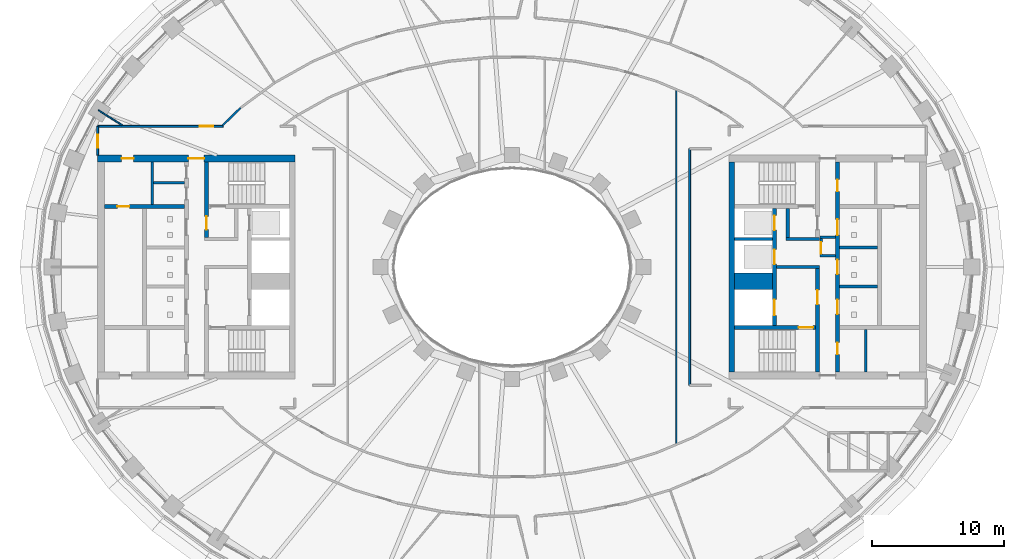
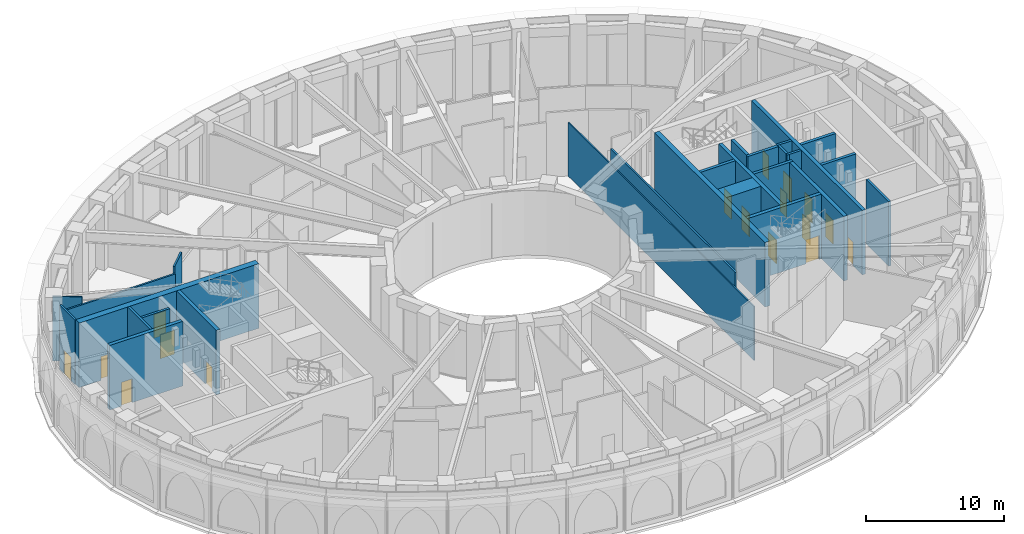
# One storey, part 5 of 23: 27 walls, 17 doors, 17 openings.
"""IFC4 building model written with IfcOpenShell, lengths in metres."""

from ifc_helpers import new_model, si_unit, direction, frame, frame_2d, origin, place, context, subcontext, project, spatial, rectangle, extrude, material, layer, layer_set, type_object, element, fill, save


model = new_model("IFC4")

# Units and contexts
model_context = context("Model", 3, precision=1e-05, world=origin(), true_north=direction((0.0, 1.0)))
body_context = subcontext(model_context, "Body", "Model", "MODEL_VIEW")
ifc_project = project(units=[si_unit("LENGTHUNIT", "METRE"), si_unit("AREAUNIT", "SQUARE_METRE"), si_unit("VOLUMEUNIT", "CUBIC_METRE"), si_unit("PLANEANGLEUNIT", "RADIAN"), si_unit("MASSUNIT", "GRAM", prefix="KILO")], contexts=[model_context])

# Site, building, storey
site_placement = place(None, origin())
site = spatial("IfcSite", under=ifc_project, at=site_placement, CompositionType="ELEMENT")
building_placement = place(site_placement, origin())
building = spatial("IfcBuilding", under=site, at=building_placement, Name="Noorbagh Ring Tower", CompositionType="ELEMENT")
storey_placement = place(building_placement, frame((0.0, 0.0, 140.0)))
storey = spatial("IfcBuildingStorey", under=building, at=storey_placement, Name="L32", CompositionType="ELEMENT", Elevation=140.0)

# Walls
ifc_material_1 = material(Name="Gypsum board on steel studs", Category="steel")
ifc_layer_1 = layer(ifc_material_1, 0.199951171875)
ifc_layer_set_1 = layer_set([ifc_layer_1], Name="Gypsum board on steel studs")
wall_type_1 = type_object("IfcWallType", Name="CORE-PARTITION-200", PredefinedType="PARTITIONING", material=ifc_layer_set_1)
wall_1_placement = place(storey_placement, frame((-27.35009765625, 4.75, 0.0), z_axis=(0.0, 0.0, 1.0), x_axis=(0.0, 1.0, 0.0)))
element("IfcWall", 1, at=wall_1_placement, inside=storey, type_object=wall_type_1, Name="Core partition W", PredefinedType="PARTITIONING", context=body_context, shape_type="SweptSolid", body=[
    extrude(rectangle(XDim=3.25, YDim=0.199951171875, at=frame_2d((1.625, 0.0))), origin(), (0.0, 0.0, 1.0), 5.699951171875),
])
wall_2_placement = place(storey_placement, frame((-24.89990234375, 6.39990234375, 0.0), z_axis=(0.0, 0.0, 1.0), x_axis=(-1.0, 0.0, 0.0)))
element("IfcWall", 2, at=wall_2_placement, inside=storey, type_object=wall_type_1, Name="Core partition W", PredefinedType="PARTITIONING", context=body_context, shape_type="SweptSolid", body=[
    extrude(rectangle(XDim=2.35009765625, YDim=0.199951171875, at=frame_2d((1.175048828125, 0.0))), origin(), (0.0, 0.0, 1.0), 5.699951171875),
])
for number, where, z_axis, x_axis, name in (
    (3, (23.39990234375, 0.85009765625, 0.0), (0.0, 0.0, 1.0), (1.0, 0.0, 0.0), "Core partition E"),
    (4, (23.39990234375, 2.25, 0.0), (0.0, 0.0, 1.0), (1.0, 0.0, 0.0), "Core partition E"),
):
    element("IfcWall", number, at=place(storey_placement, frame(where, z_axis=z_axis, x_axis=x_axis)), inside=storey, type_object=wall_type_1, Name=name, PredefinedType="PARTITIONING", context=body_context, shape_type="SweptSolid", body=[
        extrude(rectangle(XDim=1.2001953125, YDim=0.199951171875, at=frame_2d((0.60009765625, 0.0))), origin(), (0.0, 0.0, 1.0), 5.699951171875),
    ])

# Wall, opening, door
wall_3_placement = place(storey_placement, frame((23.5, 0.75, 0.0), z_axis=(0.0, 0.0, 1.0), x_axis=(0.0, 1.0, 0.0)))
wall_3 = element("IfcWall", 5, at=wall_3_placement, inside=storey, type_object=wall_type_1, Name="Core partition E", PredefinedType="PARTITIONING", context=body_context, shape_type="SweptSolid", body=[
    extrude(rectangle(XDim=1.60009765625, YDim=0.199951171875, at=frame_2d((0.800048828125, 0.0))), origin(), (0.0, 0.0, 1.0), 5.699951171875),
])
opening_1_placement = place(wall_3_placement, frame((0.25, 0.0, 0.0)))
opening_1 = element("IfcOpeningElement", 6, at=opening_1_placement, cuts=wall_3, Name="Opening L32-CE17", PredefinedType="OPENING", context=body_context, shape_type="SweptSolid", body=[
    extrude(rectangle(XDim=0.89990234375, YDim=2.10009765625, at=frame_2d((0.449951171875, 1.050048828125))), frame((0.0, 0.10986328125, 0.0), z_axis=(0.0, -1.0, 0.0), x_axis=(1.0, 0.0, 0.0)), (0.0, 0.0, 1.0), 0.219970703125),
])
ifc_material_2 = material(Name="Steel door leaf", Category="steel")
door_type_1 = type_object("IfcDoorType", Name="CORE-DOOR-DROOM", OperationType="SINGLE_SWING_LEFT", PredefinedType="DOOR", material=ifc_material_2)
door_1_placement = place(opening_1_placement, origin())
door_1 = element("IfcDoor", 7, at=door_1_placement, inside=storey, type_object=door_type_1, Name="Core room door L32-CE17", OperationType="SINGLE_SWING_LEFT", OverallHeight=2.10009765625, OverallWidth=0.89990234375, PredefinedType="DOOR", context=body_context, shape_type="SweptSolid", body=[
    extrude(rectangle(XDim=0.89990234375, YDim=2.10009765625, at=frame_2d((0.449951171875, 1.050048828125))), frame((0.0, 0.02490234375, 0.0), z_axis=(0.0, -1.0, 0.0), x_axis=(1.0, 0.0, 0.0)), (0.0, 0.0, 1.0), 0.050048828125),
])
fill(opening_1, door_1)

# Walls
wall_4_placement = place(storey_placement, frame((26.89990234375, -8.0, 0.0), z_axis=(0.0, 0.0, 1.0), x_axis=(0.0, 1.0, 0.0)))
element("IfcWall", 8, at=wall_4_placement, inside=storey, type_object=wall_type_1, Name="Core partition E", PredefinedType="PARTITIONING", context=body_context, shape_type="SweptSolid", body=[
    extrude(rectangle(XDim=3.25, YDim=0.199951171875, at=frame_2d((1.625, 0.0))), origin(), (0.0, 0.0, 1.0), 5.699951171875),
])
ifc_material_3 = material(Name="Concrete C70/85", Category="concrete")
ifc_layer_2 = layer(ifc_material_3, 1.25)
ifc_layer_set_2 = layer_set([ifc_layer_2], Name="Concrete C70/85")
wall_type_2 = type_object("IfcWallType", Name="CORE-WALL-1250-C70-85-EI120", PredefinedType="SHEAR", material=ifc_layer_set_2)
wall_5_placement = place(storey_placement, frame((16.89990234375, -1.074951171875, 0.0), z_axis=(0.0, 0.0, 1.0), x_axis=(1.0, 0.0, 0.0)))
element("IfcWall", 9, at=wall_5_placement, inside=storey, type_object=wall_type_2, Name="Core wall E", PredefinedType="SHEAR", context=body_context, shape_type="SweptSolid", body=[
    extrude(rectangle(XDim=2.900146484375, YDim=1.25, at=frame_2d((1.4501953125, 0.0))), origin(), (0.0, 0.0, 1.0), 5.699951171875),
])
ifc_material_4 = material(Name="Concrete C70/85", Category="concrete")
ifc_layer_3 = layer(ifc_material_4, 0.25)
ifc_layer_set_3 = layer_set([ifc_layer_3], Name="Concrete C70/85")
wall_type_3 = type_object("IfcWallType", Name="CORE-WALL-250-C70-85-EI120", PredefinedType="SHEAR", material=ifc_layer_set_3)
for number, where, z_axis, x_axis, name in (
    (10, (16.89990234375, 2.125, 0.0), (0.0, 0.0, 1.0), (1.0, 0.0, 0.0), "Core wall E"),
    (11, (24.89990234375, -1.47509765625, 0.0), (0.0, 0.0, 1.0), (1.0, 0.0, 0.0), "Core wall E"),
    (12, (24.89990234375, 1.47509765625, 0.0), (0.0, 0.0, 1.0), (1.0, 0.0, 0.0), "Core wall E"),
):
    element("IfcWall", number, at=place(storey_placement, frame(where, z_axis=z_axis, x_axis=x_axis)), inside=storey, type_object=wall_type_3, Name=name, PredefinedType="SHEAR", context=body_context, shape_type="SweptSolid", body=[
        extrude(rectangle(XDim=2.900146484375, YDim=0.25, at=frame_2d((1.4501953125, 0.0))), origin(), (0.0, 0.0, 1.0), 5.699951171875),
    ])
ifc_material_5 = material(Name="Concrete C70/85", Category="concrete")
ifc_layer_4 = layer(ifc_material_5, 0.25)
ifc_layer_set_4 = layer_set([ifc_layer_4], Name="Concrete C70/85")
wall_type_4 = type_object("IfcWallType", Name="CORE-WALL-250-C70-85-EI240", PredefinedType="SHEAR", material=ifc_layer_set_4)
wall_6_placement = place(storey_placement, frame((20.10009765625, 0.0, 0.0), z_axis=(0.0, 0.0, 1.0), x_axis=(1.0, 0.0, 0.0)))
element("IfcWall", 13, at=wall_6_placement, inside=storey, type_object=wall_type_4, Name="Core wall E", PredefinedType="SHEAR", context=body_context, shape_type="SweptSolid", body=[
    extrude(rectangle(XDim=3.27978515625, YDim=0.25, at=frame_2d((1.639892578125, 0.0))), origin(), (0.0, 0.0, 1.0), 5.699951171875),
])
wall_7_placement = place(storey_placement, frame((20.85009765625, 2.125, 0.0), z_axis=(0.0, 0.0, 1.0), x_axis=(1.0, 0.0, 0.0)))
element("IfcWall", 14, at=wall_7_placement, inside=storey, type_object=wall_type_4, Name="Core wall E", PredefinedType="SHEAR", context=body_context, shape_type="SweptSolid", body=[
    extrude(rectangle(XDim=2.52978515625, YDim=0.25, at=frame_2d((1.264892578125, 0.0))), origin(), (0.0, 0.0, 1.0), 5.699951171875),
])
wall_8_placement = place(storey_placement, frame((20.97509765625, 2.25, 0.0), z_axis=(0.0, 0.0, 1.0), x_axis=(0.0, 1.0, 0.0)))
element("IfcWall", 15, at=wall_8_placement, inside=storey, type_object=wall_type_4, Name="Core wall E", PredefinedType="SHEAR", context=body_context, shape_type="SweptSolid", body=[
    extrude(rectangle(XDim=2.199951171875, YDim=0.25, at=frame_2d((1.10009765625, 0.0))), origin(), (0.0, 0.0, 1.0), 5.699951171875),
])

# Wall, openings, doors
ifc_material_6 = material(Name="Concrete C70/85", Category="concrete")
ifc_layer_5 = layer(ifc_material_6, 0.300048828125)
ifc_layer_set_5 = layer_set([ifc_layer_5], Name="Concrete C70/85")
wall_type_5 = type_object("IfcWallType", Name="CORE-WALL-300-C70-85-EI120", PredefinedType="SHEAR", material=ifc_layer_set_5)
wall_9_placement = place(storey_placement, frame((19.949951171875, -4.449951171875, 0.0), z_axis=(0.0, 0.0, 1.0), x_axis=(0.0, 1.0, 0.0)))
wall_9 = element("IfcWall", 16, at=wall_9_placement, inside=storey, type_object=wall_type_5, Name="Core wall E", PredefinedType="SHEAR", context=body_context, shape_type="SweptSolid", body=[
    extrude(rectangle(XDim=8.89990234375, YDim=0.300048828125, at=frame_2d((4.449951171875, 0.0))), origin(), (0.0, 0.0, 1.0), 5.699951171875),
])
opening_2_placement = place(wall_9_placement, frame((0.77490234375, 0.0, 0.0)))
opening_2 = element("IfcOpeningElement", 17, at=opening_2_placement, cuts=wall_9, Name="Opening L32-CE01", PredefinedType="OPENING", context=body_context, shape_type="SweptSolid", body=[
    extrude(rectangle(XDim=1.199951171875, YDim=2.10009765625, at=frame_2d((0.60009765625, 1.050048828125))), frame((0.0, 0.16015625, 0.0), z_axis=(0.0, -1.0, 0.0), x_axis=(1.0, 0.0, 0.0)), (0.0, 0.0, 1.0), 0.320068359375),
])
opening_3_placement = place(wall_9_placement, frame((4.675048828125, 0.0, 0.0)))
opening_3 = element("IfcOpeningElement", 18, at=opening_3_placement, cuts=wall_9, Name="Opening L32-CE02", PredefinedType="OPENING", context=body_context, shape_type="SweptSolid", body=[
    extrude(rectangle(XDim=1.10009765625, YDim=2.10009765625, at=frame_2d((0.550048828125, 1.050048828125))), frame((0.0, 0.16015625, 0.0), z_axis=(0.0, -1.0, 0.0), x_axis=(1.0, 0.0, 0.0)), (0.0, 0.0, 1.0), 0.320068359375),
])
opening_4_placement = place(wall_9_placement, frame((7.25, 0.0, 0.0)))
opening_4 = element("IfcOpeningElement", 19, at=opening_4_placement, cuts=wall_9, Name="Opening L32-CE03", PredefinedType="OPENING", context=body_context, shape_type="SweptSolid", body=[
    extrude(rectangle(XDim=1.10009765625, YDim=2.10009765625, at=frame_2d((0.550048828125, 1.050048828125))), frame((0.0, 0.16015625, 0.0), z_axis=(0.0, -1.0, 0.0), x_axis=(1.0, 0.0, 0.0)), (0.0, 0.0, 1.0), 0.320068359375),
])
ifc_material_7 = material(Name="Steel door leaf", Category="steel")
door_type_2 = type_object("IfcDoorType", Name="CORE-DOOR-LD", OperationType="DOUBLE_DOOR_SLIDING", PredefinedType="DOOR", material=ifc_material_7)
door_2_placement = place(opening_3_placement, origin())
door_2 = element("IfcDoor", 20, at=door_2_placement, inside=storey, type_object=door_type_2, Name="Landing door HR7 L32-CE02", OperationType="DOUBLE_DOOR_SLIDING", OverallHeight=2.10009765625, OverallWidth=1.10009765625, PredefinedType="DOOR", context=body_context, shape_type="SweptSolid", body=[
    extrude(rectangle(XDim=1.10009765625, YDim=2.10009765625, at=frame_2d((0.550048828125, 1.050048828125))), frame((0.0, 0.02490234375, 0.0), z_axis=(0.0, -1.0, 0.0), x_axis=(1.0, 0.0, 0.0)), (0.0, 0.0, 1.0), 0.050048828125),
])
fill(opening_3, door_2)
door_3_placement = place(opening_4_placement, origin())
door_3 = element("IfcDoor", 21, at=door_3_placement, inside=storey, type_object=door_type_2, Name="Landing door HR8 L32-CE03", OperationType="DOUBLE_DOOR_SLIDING", OverallHeight=2.10009765625, OverallWidth=1.10009765625, PredefinedType="DOOR", context=body_context, shape_type="SweptSolid", body=[
    extrude(rectangle(XDim=1.10009765625, YDim=2.10009765625, at=frame_2d((0.550048828125, 1.050048828125))), frame((0.0, 0.02490234375, 0.0), z_axis=(0.0, -1.0, 0.0), x_axis=(1.0, 0.0, 0.0)), (0.0, 0.0, 1.0), 0.050048828125),
])
fill(opening_4, door_3)
ifc_material_8 = material(Name="Steel door leaf", Category="steel")
door_type_3 = type_object("IfcDoorType", Name="CORE-DOOR-LDW", OperationType="DOUBLE_DOOR_SLIDING", PredefinedType="DOOR", material=ifc_material_8)
door_4_placement = place(opening_2_placement, origin())
door_4 = element("IfcDoor", 22, at=door_4_placement, inside=storey, type_object=door_type_3, Name="Landing door FF2 L32-CE01", OperationType="DOUBLE_DOOR_SLIDING", OverallHeight=2.10009765625, OverallWidth=1.199951171875, PredefinedType="DOOR", context=body_context, shape_type="SweptSolid", body=[
    extrude(rectangle(XDim=1.199951171875, YDim=2.10009765625, at=frame_2d((0.60009765625, 1.050048828125))), frame((0.0, 0.02490234375, 0.0), z_axis=(0.0, -1.0, 0.0), x_axis=(1.0, 0.0, 0.0)), (0.0, 0.0, 1.0), 0.050048828125),
])
fill(opening_2, door_4)

wall_10_placement = place(storey_placement, frame((24.75, -8.0, 0.0), z_axis=(0.0, 0.0, 1.0), x_axis=(0.0, 1.0, 0.0)))
wall_10 = element("IfcWall", 23, at=wall_10_placement, inside=storey, type_object=wall_type_5, Name="Core wall E", PredefinedType="SHEAR", context=body_context, shape_type="SweptSolid", body=[
    extrude(rectangle(XDim=16.0, YDim=0.300048828125, at=frame_2d((8.0, 0.0))), origin(), (0.0, 0.0, 1.0), 5.699951171875),
])
opening_5_placement = place(wall_10_placement, frame((4.425048828125, 0.0, 0.0)))
opening_5 = element("IfcOpeningElement", 24, at=opening_5_placement, cuts=wall_10, Name="Opening L32-CE04", PredefinedType="OPENING", context=body_context, shape_type="SweptSolid", body=[
    extrude(rectangle(XDim=1.10009765625, YDim=2.10009765625, at=frame_2d((0.550048828125, 1.050048828125))), frame((0.0, 0.16015625, 0.0), z_axis=(0.0, -1.0, 0.0), x_axis=(1.0, 0.0, 0.0)), (0.0, 0.0, 1.0), 0.320068359375),
])
opening_6_placement = place(wall_10_placement, frame((7.449951171875, 0.0, 0.0)))
opening_6 = element("IfcOpeningElement", 25, at=opening_6_placement, cuts=wall_10, Name="Opening L32-CE05", PredefinedType="OPENING", context=body_context, shape_type="SweptSolid", body=[
    extrude(rectangle(XDim=1.10009765625, YDim=2.10009765625, at=frame_2d((0.550048828125, 1.050048828125))), frame((0.0, 0.16015625, 0.0), z_axis=(0.0, -1.0, 0.0), x_axis=(1.0, 0.0, 0.0)), (0.0, 0.0, 1.0), 0.320068359375),
])
opening_7_placement = place(wall_10_placement, frame((10.425048828125, 0.0, 0.0)))
opening_7 = element("IfcOpeningElement", 26, at=opening_7_placement, cuts=wall_10, Name="Opening L32-CE06", PredefinedType="OPENING", context=body_context, shape_type="SweptSolid", body=[
    extrude(rectangle(XDim=1.199951171875, YDim=2.10009765625, at=frame_2d((0.60009765625, 1.050048828125))), frame((0.0, 0.16015625, 0.0), z_axis=(0.0, -1.0, 0.0), x_axis=(1.0, 0.0, 0.0)), (0.0, 0.0, 1.0), 0.320068359375),
])
opening_8_placement = place(wall_10_placement, frame((13.75, 0.0, 0.0)))
opening_8 = element("IfcOpeningElement", 27, at=opening_8_placement, cuts=wall_10, Name="Opening L32-CE13", PredefinedType="OPENING", context=body_context, shape_type="SweptSolid", body=[
    extrude(rectangle(XDim=0.89990234375, YDim=2.10009765625, at=frame_2d((0.449951171875, 1.050048828125))), frame((0.0, 0.16015625, 0.0), z_axis=(0.0, -1.0, 0.0), x_axis=(1.0, 0.0, 0.0)), (0.0, 0.0, 1.0), 0.320068359375),
])
opening_9_placement = place(wall_10_placement, frame((1.35009765625, 0.0, 0.0)))
opening_9 = element("IfcOpeningElement", 28, at=opening_9_placement, cuts=wall_10, Name="Opening L32-CE15", PredefinedType="OPENING", context=body_context, shape_type="SweptSolid", body=[
    extrude(rectangle(XDim=0.89990234375, YDim=2.10009765625, at=frame_2d((0.449951171875, 1.050048828125))), frame((0.0, 0.16015625, 0.0), z_axis=(0.0, -1.0, 0.0), x_axis=(1.0, 0.0, 0.0)), (0.0, 0.0, 1.0), 0.320068359375),
])
door_5_placement = place(opening_8_placement, origin())
door_5 = element("IfcDoor", 29, at=door_5_placement, inside=storey, type_object=door_type_1, Name="Core room door L32-CE13", OperationType="SINGLE_SWING_LEFT", OverallHeight=2.10009765625, OverallWidth=0.89990234375, PredefinedType="DOOR", context=body_context, shape_type="SweptSolid", body=[
    extrude(rectangle(XDim=0.89990234375, YDim=2.10009765625, at=frame_2d((0.449951171875, 1.050048828125))), frame((0.0, 0.02490234375, 0.0), z_axis=(0.0, -1.0, 0.0), x_axis=(1.0, 0.0, 0.0)), (0.0, 0.0, 1.0), 0.050048828125),
])
fill(opening_8, door_5)
door_6_placement = place(opening_9_placement, origin())
door_6 = element("IfcDoor", 30, at=door_6_placement, inside=storey, type_object=door_type_1, Name="Core room door L32-CE15", OperationType="SINGLE_SWING_RIGHT", OverallHeight=2.10009765625, OverallWidth=0.89990234375, PredefinedType="DOOR", context=body_context, shape_type="SweptSolid", body=[
    extrude(rectangle(XDim=0.89990234375, YDim=2.10009765625, at=frame_2d((0.449951171875, 1.050048828125))), frame((0.0, 0.02490234375, 0.0), z_axis=(0.0, -1.0, 0.0), x_axis=(1.0, 0.0, 0.0)), (0.0, 0.0, 1.0), 0.050048828125),
])
fill(opening_9, door_6)
door_7_placement = place(opening_5_placement, origin())
door_7 = element("IfcDoor", 31, at=door_7_placement, inside=storey, type_object=door_type_2, Name="Landing door LR3 L32-CE04", OperationType="DOUBLE_DOOR_SLIDING", OverallHeight=2.10009765625, OverallWidth=1.10009765625, PredefinedType="DOOR", context=body_context, shape_type="SweptSolid", body=[
    extrude(rectangle(XDim=1.10009765625, YDim=2.10009765625, at=frame_2d((0.550048828125, 1.050048828125))), frame((0.0, 0.02490234375, 0.0), z_axis=(0.0, -1.0, 0.0), x_axis=(1.0, 0.0, 0.0)), (0.0, 0.0, 1.0), 0.050048828125),
])
fill(opening_5, door_7)
door_8_placement = place(opening_6_placement, origin())
door_8 = element("IfcDoor", 32, at=door_8_placement, inside=storey, type_object=door_type_2, Name="Landing door LR4 L32-CE05", OperationType="DOUBLE_DOOR_SLIDING", OverallHeight=2.10009765625, OverallWidth=1.10009765625, PredefinedType="DOOR", context=body_context, shape_type="SweptSolid", body=[
    extrude(rectangle(XDim=1.10009765625, YDim=2.10009765625, at=frame_2d((0.550048828125, 1.050048828125))), frame((0.0, 0.02490234375, 0.0), z_axis=(0.0, -1.0, 0.0), x_axis=(1.0, 0.0, 0.0)), (0.0, 0.0, 1.0), 0.050048828125),
])
fill(opening_6, door_8)
door_9_placement = place(opening_7_placement, origin())
door_9 = element("IfcDoor", 33, at=door_9_placement, inside=storey, type_object=door_type_3, Name="Landing door SV2 L32-CE06", OperationType="DOUBLE_DOOR_SLIDING", OverallHeight=2.10009765625, OverallWidth=1.199951171875, PredefinedType="DOOR", context=body_context, shape_type="SweptSolid", body=[
    extrude(rectangle(XDim=1.199951171875, YDim=2.10009765625, at=frame_2d((0.60009765625, 1.050048828125))), frame((0.0, 0.02490234375, 0.0), z_axis=(0.0, -1.0, 0.0), x_axis=(1.0, 0.0, 0.0)), (0.0, 0.0, 1.0), 0.050048828125),
])
fill(opening_7, door_9)

# Wall, opening, door
ifc_material_9 = material(Name="Concrete C70/85", Category="concrete")
ifc_layer_6 = layer(ifc_material_9, 0.300048828125)
ifc_layer_set_6 = layer_set([ifc_layer_6], Name="Concrete C70/85")
wall_type_6 = type_object("IfcWallType", Name="CORE-WALL-300-C70-85-EI240", PredefinedType="SHEAR", material=ifc_layer_set_6)
wall_11_placement = place(storey_placement, frame((-24.89990234375, 4.60009765625, 0.0), z_axis=(0.0, 0.0, 1.0), x_axis=(-1.0, 0.0, 0.0)))
wall_11 = element("IfcWall", 34, at=wall_11_placement, inside=storey, type_object=wall_type_6, Name="Core wall W", PredefinedType="SHEAR", context=body_context, shape_type="SweptSolid", body=[
    extrude(rectangle(XDim=6.10009765625, YDim=0.300048828125, at=frame_2d((3.050048828125, 0.0))), origin(), (0.0, 0.0, 1.0), 5.699951171875),
])
opening_10_placement = place(wall_11_placement, frame((4.199951171875, 0.0, 0.0)))
opening_10 = element("IfcOpeningElement", 35, at=opening_10_placement, cuts=wall_11, Name="Opening L32-CW17", PredefinedType="OPENING", context=body_context, shape_type="SweptSolid", body=[
    extrude(rectangle(XDim=0.89990234375, YDim=2.10009765625, at=frame_2d((0.449951171875, 1.050048828125))), frame((0.0, 0.16015625, 0.0), z_axis=(0.0, -1.0, 0.0), x_axis=(1.0, 0.0, 0.0)), (0.0, 0.0, 1.0), 0.320068359375),
])
door_10_placement = place(opening_10_placement, origin())
door_10 = element("IfcDoor", 36, at=door_10_placement, inside=storey, type_object=door_type_1, Name="Core room door L32-CW17", OperationType="SINGLE_SWING_LEFT", OverallHeight=2.10009765625, OverallWidth=0.89990234375, PredefinedType="DOOR", context=body_context, shape_type="SweptSolid", body=[
    extrude(rectangle(XDim=0.89990234375, YDim=2.10009765625, at=frame_2d((0.449951171875, 1.050048828125))), frame((0.0, 0.02490234375, 0.0), z_axis=(0.0, -1.0, 0.0), x_axis=(1.0, 0.0, 0.0)), (0.0, 0.0, 1.0), 0.050048828125),
])
fill(opening_10, door_10)

wall_12_placement = place(storey_placement, frame((-23.22998046875, 2.25, 0.0), z_axis=(0.0, 0.0, 1.0), x_axis=(0.0, 1.0, 0.0)))
wall_12 = element("IfcWall", 37, at=wall_12_placement, inside=storey, type_object=wall_type_6, Name="Core wall W", PredefinedType="SHEAR", context=body_context, shape_type="SweptSolid", body=[
    extrude(rectangle(XDim=5.75, YDim=0.300048828125, at=frame_2d((2.875, 0.0))), origin(), (0.0, 0.0, 1.0), 5.699951171875),
])
opening_11_placement = place(wall_12_placement, frame((0.60009765625, 0.0, 0.0)))
opening_11 = element("IfcOpeningElement", 38, at=opening_11_placement, cuts=wall_12, Name="Opening L32-CW09", PredefinedType="OPENING", context=body_context, shape_type="SweptSolid", body=[
    extrude(rectangle(XDim=1.0, YDim=2.10009765625, at=frame_2d((0.5, 1.050048828125))), frame((0.0, 0.16015625, 0.0), z_axis=(0.0, -1.0, 0.0), x_axis=(1.0, 0.0, 0.0)), (0.0, 0.0, 1.0), 0.320068359375),
])
ifc_material_10 = material(Name="Steel door leaf", Category="steel")
door_type_4 = type_object("IfcDoorType", Name="CORE-DOOR-DVEST", OperationType="SINGLE_SWING_LEFT", PredefinedType="DOOR", material=ifc_material_10)
door_11_placement = place(opening_11_placement, origin())
door_11 = element("IfcDoor", 39, at=door_11_placement, inside=storey, type_object=door_type_4, Name="Stair vestibule door L32-CW09", OperationType="SINGLE_SWING_LEFT", OverallHeight=2.10009765625, OverallWidth=1.0, PredefinedType="DOOR", context=body_context, shape_type="SweptSolid", body=[
    extrude(rectangle(XDim=1.0, YDim=2.10009765625, at=frame_2d((0.5, 1.050048828125))), frame((0.0, 0.02490234375, 0.0), z_axis=(0.0, -1.0, 0.0), x_axis=(1.0, 0.0, 0.0)), (0.0, 0.0, 1.0), 0.050048828125),
])
fill(opening_11, door_11)

wall_13_placement = place(storey_placement, frame((23.22998046875, -8.0, 0.0), z_axis=(0.0, 0.0, 1.0), x_axis=(0.0, 1.0, 0.0)))
wall_13 = element("IfcWall", 40, at=wall_13_placement, inside=storey, type_object=wall_type_6, Name="Core wall E", PredefinedType="SHEAR", context=body_context, shape_type="SweptSolid", body=[
    extrude(rectangle(XDim=7.875, YDim=0.300048828125, at=frame_2d((3.9375, 0.0))), origin(), (0.0, 0.0, 1.0), 5.699951171875),
])
opening_12_placement = place(wall_13_placement, frame((5.14990234375, 0.0, 0.0)))
opening_12 = element("IfcOpeningElement", 41, at=opening_12_placement, cuts=wall_13, Name="Opening L32-CE09", PredefinedType="OPENING", context=body_context, shape_type="SweptSolid", body=[
    extrude(rectangle(XDim=1.10009765625, YDim=2.10009765625, at=frame_2d((0.550048828125, 1.050048828125))), frame((0.0, 0.16015625, 0.0), z_axis=(0.0, -1.0, 0.0), x_axis=(1.0, 0.0, 0.0)), (0.0, 0.0, 1.0), 0.320068359375),
])
ifc_material_11 = material(Name="Steel door leaf", Category="steel")
door_type_5 = type_object("IfcDoorType", Name="CORE-DOOR-DFF", OperationType="SINGLE_SWING_LEFT", PredefinedType="DOOR", material=ifc_material_11)
door_12_placement = place(opening_12_placement, origin())
door_12 = element("IfcDoor", 42, at=door_12_placement, inside=storey, type_object=door_type_5, Name="Firefighting lobby door L32-CE09", OperationType="SINGLE_SWING_RIGHT", OverallHeight=2.10009765625, OverallWidth=1.10009765625, PredefinedType="DOOR", context=body_context, shape_type="SweptSolid", body=[
    extrude(rectangle(XDim=1.10009765625, YDim=2.10009765625, at=frame_2d((0.550048828125, 1.050048828125))), frame((0.0, 0.02490234375, 0.0), z_axis=(0.0, -1.0, 0.0), x_axis=(1.0, 0.0, 0.0)), (0.0, 0.0, 1.0), 0.050048828125),
])
fill(opening_12, door_12)

wall_14_placement = place(storey_placement, frame((16.89990234375, -4.60009765625, 0.0), z_axis=(0.0, 0.0, 1.0), x_axis=(1.0, 0.0, 0.0)))
wall_14 = element("IfcWall", 43, at=wall_14_placement, inside=storey, type_object=wall_type_6, Name="Core wall E", PredefinedType="SHEAR", context=body_context, shape_type="SweptSolid", body=[
    extrude(rectangle(XDim=6.18017578125, YDim=0.300048828125, at=frame_2d((3.090087890625, 0.0))), origin(), (0.0, 0.0, 1.0), 5.699951171875),
])
opening_13_placement = place(wall_14_placement, frame((4.89990234375, 0.0, 0.0)))
opening_13 = element("IfcOpeningElement", 44, at=opening_13_placement, cuts=wall_14, Name="Opening L32-CE08", PredefinedType="OPENING", context=body_context, shape_type="SweptSolid", body=[
    extrude(rectangle(XDim=1.10009765625, YDim=2.10009765625, at=frame_2d((0.550048828125, 1.050048828125))), frame((0.0, 0.16015625, 0.0), z_axis=(0.0, -1.0, 0.0), x_axis=(1.0, 0.0, 0.0)), (0.0, 0.0, 1.0), 0.320068359375),
])
ifc_material_12 = material(Name="Steel door leaf", Category="steel")
door_type_6 = type_object("IfcDoorType", Name="CORE-DOOR-DSTAIR", OperationType="SINGLE_SWING_LEFT", PredefinedType="DOOR", material=ifc_material_12)
door_13_placement = place(opening_13_placement, origin())
door_13 = element("IfcDoor", 45, at=door_13_placement, inside=storey, type_object=door_type_6, Name="Stair door ST4 L32-CE08", OperationType="SINGLE_SWING_RIGHT", OverallHeight=2.10009765625, OverallWidth=1.10009765625, PredefinedType="DOOR", context=body_context, shape_type="SweptSolid", body=[
    extrude(rectangle(XDim=1.10009765625, YDim=2.10009765625, at=frame_2d((0.550048828125, 1.050048828125))), frame((0.0, 0.02490234375, 0.0), z_axis=(0.0, -1.0, 0.0), x_axis=(1.0, 0.0, 0.0)), (0.0, 0.0, 1.0), 0.050048828125),
])
fill(opening_13, door_13)

# Wall
ifc_material_13 = material(Name="Concrete C70/85", Category="concrete")
ifc_layer_7 = layer(ifc_material_13, 0.39990234375)
ifc_layer_set_7 = layer_set([ifc_layer_7], Name="Concrete C70/85")
wall_type_7 = type_object("IfcWallType", Name="CORE-WALL-400-C70-85-EI240", PredefinedType="SHEAR", material=ifc_layer_set_7)
wall_15_placement = place(storey_placement, frame((16.699951171875, -8.0, 0.0), z_axis=(0.0, 0.0, 1.0), x_axis=(0.0, 1.0, 0.0)))
element("IfcWall", 46, at=wall_15_placement, inside=storey, type_object=wall_type_7, Name="Core wall E", PredefinedType="SHEAR", context=body_context, shape_type="SweptSolid", body=[
    extrude(rectangle(XDim=16.0, YDim=0.39990234375, at=frame_2d((8.0, 0.0))), origin(), (0.0, 0.0, 1.0), 5.699951171875),
])

# Wall, openings, doors
ifc_material_14 = material(Name="Concrete C70/85", Category="concrete")
ifc_layer_8 = layer(ifc_material_14, 0.5)
ifc_layer_set_8 = layer_set([ifc_layer_8], Name="Concrete C70/85")
wall_type_8 = type_object("IfcWallType", Name="CORE-WALL-500-C70-85-EI240", PredefinedType="SHEAR", material=ifc_layer_set_8)
wall_16_placement = place(storey_placement, frame((-16.5, 8.25, 0.0), z_axis=(0.0, 0.0, 1.0), x_axis=(-1.0, 0.0, 0.0)))
wall_16 = element("IfcWall", 47, at=wall_16_placement, inside=storey, type_object=wall_type_8, Name="Core wall W", PredefinedType="SHEAR", context=body_context, shape_type="SweptSolid", body=[
    extrude(rectangle(XDim=15.0, YDim=0.5, at=frame_2d((7.5, 0.0))), origin(), (0.0, 0.0, 1.0), 5.699951171875),
])
opening_14_placement = place(wall_16_placement, frame((6.89990234375, 0.0, 0.0)))
opening_14 = element("IfcOpeningElement", 48, at=opening_14_placement, cuts=wall_16, Name="Opening L32-CW10", PredefinedType="OPENING", context=body_context, shape_type="SweptSolid", body=[
    extrude(rectangle(XDim=1.199951171875, YDim=2.10009765625, at=frame_2d((0.60009765625, 1.050048828125))), frame((0.0, 0.260009765625, 0.0), z_axis=(0.0, -1.0, 0.0), x_axis=(1.0, 0.0, 0.0)), (0.0, 0.0, 1.0), 0.52001953125),
])
opening_15_placement = place(wall_16_placement, frame((12.27490234375, 0.0, 0.0)))
opening_15 = element("IfcOpeningElement", 49, at=opening_15_placement, cuts=wall_16, Name="Opening L32-CW14", PredefinedType="OPENING", context=body_context, shape_type="SweptSolid", body=[
    extrude(rectangle(XDim=0.89990234375, YDim=2.10009765625, at=frame_2d((0.449951171875, 1.050048828125))), frame((0.0, 0.260009765625, 0.0), z_axis=(0.0, -1.0, 0.0), x_axis=(1.0, 0.0, 0.0)), (0.0, 0.0, 1.0), 0.52001953125),
])
door_14_placement = place(opening_15_placement, origin())
door_14 = element("IfcDoor", 50, at=door_14_placement, inside=storey, type_object=door_type_1, Name="Core room door L32-CW14", OperationType="SINGLE_SWING_RIGHT", OverallHeight=2.10009765625, OverallWidth=0.89990234375, PredefinedType="DOOR", context=body_context, shape_type="SweptSolid", body=[
    extrude(rectangle(XDim=0.89990234375, YDim=2.10009765625, at=frame_2d((0.449951171875, 1.050048828125))), frame((0.0, 0.02490234375, 0.0), z_axis=(0.0, -1.0, 0.0), x_axis=(1.0, 0.0, 0.0)), (0.0, 0.0, 1.0), 0.050048828125),
])
fill(opening_15, door_14)
ifc_material_15 = material(Name="Steel door leaf", Category="steel")
door_type_7 = type_object("IfcDoorType", Name="CORE-DOOR-PORT", OperationType="DOUBLE_DOOR_DOUBLE_SWING", PredefinedType="DOOR", material=ifc_material_15)
door_15_placement = place(opening_14_placement, origin())
door_15 = element("IfcDoor", 51, at=door_15_placement, inside=storey, type_object=door_type_7, Name="Core entrance door L32-CW10", OperationType="DOUBLE_DOOR_DOUBLE_SWING", OverallHeight=2.10009765625, OverallWidth=1.199951171875, PredefinedType="DOOR", context=body_context, shape_type="SweptSolid", body=[
    extrude(rectangle(XDim=1.199951171875, YDim=2.10009765625, at=frame_2d((0.60009765625, 1.050048828125))), frame((0.0, 0.02490234375, 0.0), z_axis=(0.0, -1.0, 0.0), x_axis=(1.0, 0.0, 0.0)), (0.0, 0.0, 1.0), 0.050048828125),
])
fill(opening_14, door_15)

# Wall, opening, door
ifc_material_16 = material(Name="Gypsum board on steel studs", Category="steel")
ifc_layer_9 = layer(ifc_material_16, 0.14990234375)
ifc_layer_set_9 = layer_set([ifc_layer_9], Name="Gypsum board on steel studs")
wall_type_9 = type_object("IfcWallType", Name="CORRIDOR PARTITION 150 EI 30", PredefinedType="PARTITIONING", material=ifc_layer_set_9)
wall_17_placement = place(storey_placement, frame((-31.5, 8.5, 0.0), z_axis=(0.0, 0.0, 1.0), x_axis=(0.0, 1.0, 0.0)))
wall_17 = element("IfcWall", 52, at=wall_17_placement, inside=storey, type_object=wall_type_9, Name="L32/wall/P04", PredefinedType="PARTITIONING", context=body_context, shape_type="SweptSolid", body=[
    extrude(rectangle(XDim=2.199951171875, YDim=0.14990234375, at=frame_2d((1.10009765625, 0.0))), origin(), (0.0, 0.0, 1.0), 5.699951171875),
])
opening_16_placement = place(wall_17_placement, frame((0.550048828125, 0.0, 0.0)))
opening_16 = element("IfcOpeningElement", 53, at=opening_16_placement, cuts=wall_17, Name="Opening D1", PredefinedType="OPENING", context=body_context, shape_type="SweptSolid", body=[
    extrude(rectangle(XDim=1.0, YDim=2.10009765625, at=frame_2d((0.5, 1.050048828125))), frame((0.0, 0.0849609375, 0.0), z_axis=(0.0, -1.0, 0.0), x_axis=(1.0, 0.0, 0.0)), (0.0, 0.0, 1.0), 0.169921875),
])
ifc_material_17 = material(Name="Timber, painted", Category="wood")
door_type_8 = type_object("IfcDoorType", Name="DOOR 1000 X 2100 FD30", OperationType="SINGLE_SWING_LEFT", PredefinedType="DOOR", material=ifc_material_17)
door_16_placement = place(opening_16_placement, origin())
door_16 = element("IfcDoor", 54, at=door_16_placement, inside=storey, type_object=door_type_8, Name="L32-D07", OperationType="SINGLE_SWING_LEFT", OverallHeight=2.10009765625, OverallWidth=1.0, PredefinedType="DOOR", context=body_context, shape_type="SweptSolid", body=[
    extrude(rectangle(XDim=1.0, YDim=2.10009765625, at=frame_2d((0.5, 1.050048828125))), frame((0.0, 0.02490234375, 0.0), z_axis=(0.0, -1.0, 0.0), x_axis=(1.0, 0.0, 0.0)), (0.0, 0.0, 1.0), 0.050048828125),
])
fill(opening_16, door_16)

wall_18_placement = place(storey_placement, frame((-31.5, 10.699951171875, 0.0), z_axis=(0.0, 0.0, 1.0), x_axis=(1.0, 0.0, 0.0)))
wall_18 = element("IfcWall", 55, at=wall_18_placement, inside=storey, type_object=wall_type_9, Name="L32/wall/P05", PredefinedType="PARTITIONING", context=body_context, shape_type="SweptSolid", body=[
    extrude(rectangle(XDim=9.534912109375, YDim=0.14990234375, at=frame_2d((4.767578125, 0.0))), origin(), (0.0, 0.0, 1.0), 5.10009765625),
])
opening_17_placement = place(wall_18_placement, frame((7.777099609375, 0.0, 0.0)))
opening_17 = element("IfcOpeningElement", 56, at=opening_17_placement, cuts=wall_18, Name="Opening D1", PredefinedType="OPENING", context=body_context, shape_type="SweptSolid", body=[
    extrude(rectangle(XDim=1.0, YDim=2.10009765625, at=frame_2d((0.5, 1.050048828125))), frame((0.0, 0.0849609375, 0.0), z_axis=(0.0, -1.0, 0.0), x_axis=(1.0, 0.0, 0.0)), (0.0, 0.0, 1.0), 0.169921875),
])
door_17_placement = place(opening_17_placement, origin())
door_17 = element("IfcDoor", 57, at=door_17_placement, inside=storey, type_object=door_type_8, Name="L32-D09", OperationType="SINGLE_SWING_LEFT", OverallHeight=2.10009765625, OverallWidth=1.0, PredefinedType="DOOR", context=body_context, shape_type="SweptSolid", body=[
    extrude(rectangle(XDim=1.0, YDim=2.10009765625, at=frame_2d((0.5, 1.050048828125))), frame((0.0, 0.02490234375, 0.0), z_axis=(0.0, -1.0, 0.0), x_axis=(1.0, 0.0, 0.0)), (0.0, 0.0, 1.0), 0.050048828125),
])
fill(opening_17, door_17)

# Walls
wall_19_placement = place(storey_placement, frame((-21.99609375, 10.77490234375, 0.0), z_axis=(0.0, 0.0, 1.0), x_axis=(0.716982447073, 0.697091221139, 0.0)))
element("IfcWall", 58, at=wall_19_placement, inside=storey, type_object=wall_type_9, Name="L32/wall/P11", PredefinedType="PARTITIONING", context=body_context, shape_type="SweptSolid", body=[
    extrude(rectangle(XDim=1.90234375, YDim=0.14990234375, at=frame_2d((0.951171875, 0.0))), origin(), (0.0, 0.0, 1.0), 5.699951171875),
])
wall_20_placement = place(storey_placement, frame((13.5, -9.0, 0.0), z_axis=(0.0, 0.0, 1.0), x_axis=(0.0, 1.0, 0.0)))
element("IfcWall", 59, at=wall_20_placement, inside=storey, type_object=wall_type_9, Name="L32/wall/P81", PredefinedType="PARTITIONING", context=body_context, shape_type="SweptSolid", body=[
    extrude(rectangle(XDim=18.0, YDim=0.14990234375, at=frame_2d((9.0, 0.0))), origin(), (0.0, 0.0, 1.0), 4.75),
])
ifc_material_18 = material(Name="Gypsum board on steel studs", Category="steel")
ifc_layer_10 = layer(ifc_material_18, 0.10009765625)
ifc_layer_set_10 = layer_set([ifc_layer_10], Name="Gypsum board on steel studs")
wall_type_10 = type_object("IfcWallType", Name="PARTITION 100 GYPSUM", PredefinedType="PARTITIONING", material=ifc_layer_set_10)
wall_21_placement = place(storey_placement, frame((-31.448974609375, 11.925048828125, 0.0), z_axis=(0.0, 0.0, 1.0), x_axis=(0.844747041197, -0.535165802709, 0.0)))
element("IfcWall", 60, at=wall_21_placement, inside=storey, type_object=wall_type_10, Name="L32/wall/P07", PredefinedType="PARTITIONING", context=body_context, shape_type="SweptSolid", body=[
    extrude(rectangle(XDim=2.14501953125, YDim=0.10009765625, at=frame_2d((1.072509765625, 0.0))), origin(), (0.0, 0.0, 1.0), 5.699951171875),
])
wall_22_placement = place(storey_placement, frame((12.48193359375, -13.4140625, 0.0), z_axis=(0.0, 0.0, 1.0), x_axis=(0.0, 1.0, 0.0)))
element("IfcWall", 61, at=wall_22_placement, inside=storey, type_object=wall_type_10, Name="L32/wall/P80", PredefinedType="PARTITIONING", context=body_context, shape_type="SweptSolid", body=[
    extrude(rectangle(XDim=26.828125, YDim=0.10009765625, at=frame_2d((13.4140625, 0.0))), origin(), (0.0, 0.0, 1.0), 4.75),
])

save(model, "model.ifc")
